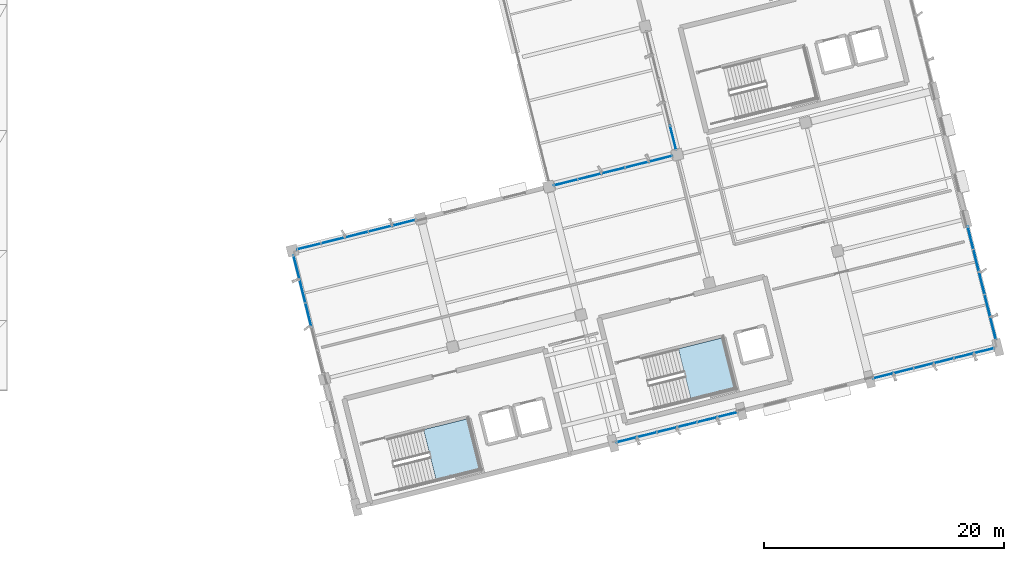
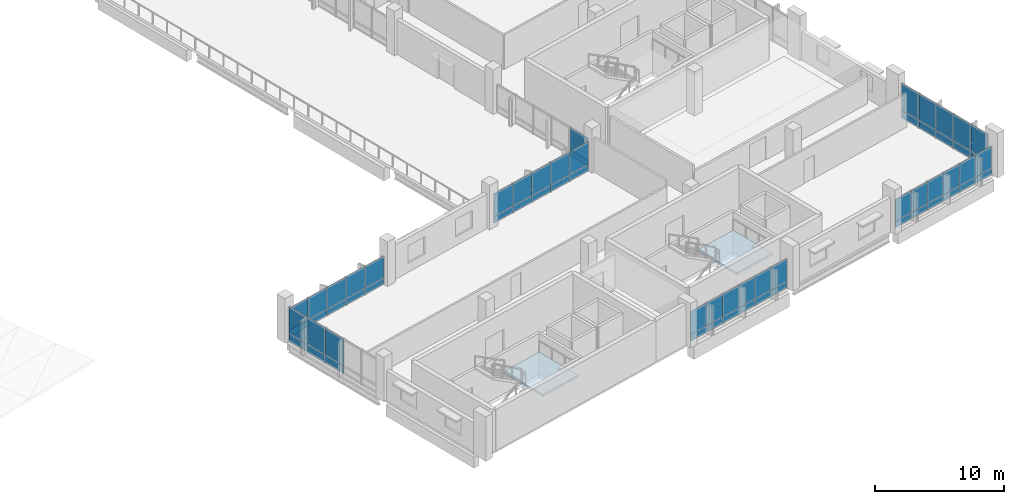
# One storey, part 33 of 42: 62 plates, 2 slabs, 9 elements without a shape of their own.
"""IFC4 building model written with IfcOpenShell, lengths in metres."""

from ifc_helpers import new_model, si_unit, direction, frame, origin, origin_2d, place, context, subcontext, project, spatial, polyline, rectangle, outline, extrude, material, layer, layer_set, type_object, element, aggregate, save


model = new_model("IFC4")

# Units and contexts
model_context = context("Model", 3, precision=1e-05, world=origin(), true_north=direction((0.0, 1.0)))
body_context = subcontext(model_context, "Body", "Model", "MODEL_VIEW")
ifc_project = project(units=[si_unit("LENGTHUNIT", "METRE"), si_unit("AREAUNIT", "SQUARE_METRE"), si_unit("VOLUMEUNIT", "CUBIC_METRE"), si_unit("PLANEANGLEUNIT", "RADIAN"), si_unit("MASSUNIT", "GRAM", prefix="KILO")], contexts=[model_context])

# Site, building, storey
site_placement = place(None, origin())
site = spatial("IfcSite", under=ifc_project, at=site_placement, CompositionType="ELEMENT")
building_placement = place(site_placement, origin())
building = spatial("IfcBuilding", under=site, at=building_placement, Name="Khorjan Park Terminus", CompositionType="ELEMENT")
storey_placement = place(building_placement, frame((0.0, 0.0, 20.4)))
storey = spatial("IfcBuildingStorey", under=building, at=storey_placement, Name="L04", CompositionType="ELEMENT", Elevation=20.4)

# Curtain wall, plates
ifc_material_1 = material(Name="Anodized Bronze Aluminium", Category="aluminium")
ifc_layer_1 = layer(ifc_material_1, 0.22)
ifc_layer_set_1 = layer_set([ifc_layer_1], Name="Anodized Bronze Aluminium")
curtain_wall_type = type_object("IfcCurtainWallType", Name="CW-OPS-B", PredefinedType="NOTDEFINED", material=ifc_layer_set_1)
curtain_wall_1_placement = place(storey_placement, origin())
curtain_wall_1 = element("IfcCurtainWall", 1, at=curtain_wall_1_placement, inside=storey, type_object=curtain_wall_type, Name="Unitized curtain wall CW-B (CW-V5-S-L04-B03)", PredefinedType="NOTDEFINED")
ifc_material_2 = material(Name="Low-E Solar Control Double Glazing", Category="glass")
ifc_layer_2 = layer(ifc_material_2, 0.032)
ifc_layer_set_2 = layer_set([ifc_layer_2], Name="Low-E Solar Control Double Glazing")
plate_type_1 = type_object("IfcPlateType", Name="GL-VIS-32", PredefinedType="CURTAIN_PANEL", material=ifc_layer_set_2)
plate_1_placement = place(storey_placement, frame((199.1762, 10.2718, 0.604), z_axis=(0.0, 0.0, 1.0), x_axis=(0.970294772494, 0.241925720978, 0.0)))
plate_1 = element("IfcPlate", 2, at=plate_1_placement, type_object=plate_type_1, Name="Curtain-wall panel VP-32 (CW-V5-S-L04-B03-0-2)", PredefinedType="CURTAIN_PANEL", context=body_context, shape_type="SweptSolid", body=[
    extrude(rectangle(XDim=1.7233, YDim=0.032, at=origin_2d()), origin(), (0.0, 0.0, 1.0), 2.151),
])
plate_2_placement = place(storey_placement, frame((200.8483, 10.6886, 0.604), z_axis=(0.0, 0.0, 1.0), x_axis=(0.970294772494, 0.241925720978, 0.0)))
plate_2 = element("IfcPlate", 3, at=plate_2_placement, type_object=plate_type_1, Name="Curtain-wall panel VP-32 (CW-V5-S-L04-B03-1-2)", PredefinedType="CURTAIN_PANEL", context=body_context, shape_type="SweptSolid", body=[
    extrude(rectangle(XDim=1.7233, YDim=0.032, at=origin_2d()), origin(), (0.0, 0.0, 1.0), 2.151),
])
plate_3_placement = place(storey_placement, frame((202.5205, 11.1056, 0.604), z_axis=(0.0, 0.0, 1.0), x_axis=(0.970294772494, 0.241925720978, 0.0)))
plate_3 = element("IfcPlate", 4, at=plate_3_placement, type_object=plate_type_1, Name="Curtain-wall panel VP-32 (CW-V5-S-L04-B03-2-2)", PredefinedType="CURTAIN_PANEL", context=body_context, shape_type="SweptSolid", body=[
    extrude(rectangle(XDim=1.7233, YDim=0.032, at=origin_2d()), origin(), (0.0, 0.0, 1.0), 2.151),
])
plate_4_placement = place(storey_placement, frame((204.1926, 11.5225, 0.604), z_axis=(0.0, 0.0, 1.0), x_axis=(0.970294772494, 0.241925720978, 0.0)))
plate_4 = element("IfcPlate", 5, at=plate_4_placement, type_object=plate_type_1, Name="Curtain-wall panel VP-32 (CW-V5-S-L04-B03-3-2)", PredefinedType="CURTAIN_PANEL", context=body_context, shape_type="SweptSolid", body=[
    extrude(rectangle(XDim=1.7233, YDim=0.032, at=origin_2d()), origin(), (0.0, 0.0, 1.0), 2.151),
])
plate_5_placement = place(storey_placement, frame((205.8647, 11.9395, 0.604), z_axis=(0.0, 0.0, 1.0), x_axis=(0.970294772494, 0.241925720978, 0.0)))
plate_5 = element("IfcPlate", 6, at=plate_5_placement, type_object=plate_type_1, Name="Curtain-wall panel VP-32 (CW-V5-S-L04-B03-4-2)", PredefinedType="CURTAIN_PANEL", context=body_context, shape_type="SweptSolid", body=[
    extrude(rectangle(XDim=1.7233, YDim=0.032, at=origin_2d()), origin(), (0.0, 0.0, 1.0), 2.151),
])
plate_6_placement = place(storey_placement, frame((207.5368, 12.3563, 0.604), z_axis=(0.0, 0.0, 1.0), x_axis=(0.970294772494, 0.241925720978, 0.0)))
plate_6 = element("IfcPlate", 7, at=plate_6_placement, type_object=plate_type_1, Name="Curtain-wall panel VP-32 (CW-V5-S-L04-B03-5-2)", PredefinedType="CURTAIN_PANEL", context=body_context, shape_type="SweptSolid", body=[
    extrude(rectangle(XDim=1.7233, YDim=0.032, at=origin_2d()), origin(), (0.0, 0.0, 1.0), 2.151),
])

# Curtain wall, plate
curtain_wall_2_placement = place(storey_placement, origin())
curtain_wall_2 = element("IfcCurtainWall", 8, at=curtain_wall_2_placement, inside=storey, type_object=curtain_wall_type, Name="Unitized curtain wall CW-B (CW-V5-NW1-L04-B03)", PredefinedType="NOTDEFINED")
plate_7_placement = place(storey_placement, frame((203.0214, 35.392, 0.583), z_axis=(0.0, 0.0, 1.0), x_axis=(0.241920636916, -0.9702960401, 0.0)))
plate_7 = element("IfcPlate", 9, at=plate_7_placement, type_object=plate_type_1, Name="Curtain-wall panel VP-32 (CW-V5-NW1-L04-B03-4-2)", PredefinedType="CURTAIN_PANEL", context=body_context, shape_type="SweptSolid", body=[
    extrude(rectangle(XDim=2.0279, YDim=0.032, at=origin_2d()), origin(), (0.0, 0.0, 1.0), 2.077),
])

# Curtain wall, plates
curtain_wall_3_placement = place(storey_placement, origin())
curtain_wall_3 = element("IfcCurtainWall", 10, at=curtain_wall_3_placement, inside=storey, type_object=curtain_wall_type, Name="Unitized curtain wall CW-B (CW-V5-NW2-L04-B03)", PredefinedType="NOTDEFINED")
plate_8_placement = place(storey_placement, frame((180.623, 28.3194, 0.583), z_axis=(0.0, 0.0, 1.0), x_axis=(-0.9702960401, -0.241920636916, 0.0)))
plate_8 = element("IfcPlate", 11, at=plate_8_placement, type_object=plate_type_1, Name="Curtain-wall panel VP-32 (CW-V5-NW2-L04-B03-0-2)", PredefinedType="CURTAIN_PANEL", context=body_context, shape_type="SweptSolid", body=[
    extrude(rectangle(XDim=2.0279, YDim=0.032, at=origin_2d()), origin(), (0.0, 0.0, 1.0), 2.077),
])
plate_9_placement = place(storey_placement, frame((178.6553, 27.8288, 0.583), z_axis=(0.0, 0.0, 1.0), x_axis=(-0.9702960401, -0.241920636916, 0.0)))
plate_9 = element("IfcPlate", 12, at=plate_9_placement, type_object=plate_type_1, Name="Curtain-wall panel VP-32 (CW-V5-NW2-L04-B03-1-2)", PredefinedType="CURTAIN_PANEL", context=body_context, shape_type="SweptSolid", body=[
    extrude(rectangle(XDim=2.0279, YDim=0.032, at=origin_2d()), origin(), (0.0, 0.0, 1.0), 2.077),
])
plate_10_placement = place(storey_placement, frame((176.6875, 27.3382, 0.583), z_axis=(0.0, 0.0, 1.0), x_axis=(-0.9702960401, -0.241920636916, 0.0)))
plate_10 = element("IfcPlate", 13, at=plate_10_placement, type_object=plate_type_1, Name="Curtain-wall panel VP-32 (CW-V5-NW2-L04-B03-2-2)", PredefinedType="CURTAIN_PANEL", context=body_context, shape_type="SweptSolid", body=[
    extrude(rectangle(XDim=2.0279, YDim=0.032, at=origin_2d()), origin(), (0.0, 0.0, 1.0), 2.077),
])
plate_11_placement = place(storey_placement, frame((174.7199, 26.8476, 0.583), z_axis=(0.0, 0.0, 1.0), x_axis=(-0.9702960401, -0.241920636916, 0.0)))
plate_11 = element("IfcPlate", 14, at=plate_11_placement, type_object=plate_type_1, Name="Curtain-wall panel VP-32 (CW-V5-NW2-L04-B03-3-2)", PredefinedType="CURTAIN_PANEL", context=body_context, shape_type="SweptSolid", body=[
    extrude(rectangle(XDim=2.0279, YDim=0.032, at=origin_2d()), origin(), (0.0, 0.0, 1.0), 2.077),
])
plate_12_placement = place(storey_placement, frame((172.7522, 26.357, 0.583), z_axis=(0.0, 0.0, 1.0), x_axis=(-0.9702960401, -0.241920636916, 0.0)))
plate_12 = element("IfcPlate", 15, at=plate_12_placement, type_object=plate_type_1, Name="Curtain-wall panel VP-32 (CW-V5-NW2-L04-B03-4-2)", PredefinedType="CURTAIN_PANEL", context=body_context, shape_type="SweptSolid", body=[
    extrude(rectangle(XDim=2.0279, YDim=0.032, at=origin_2d()), origin(), (0.0, 0.0, 1.0), 2.077),
])

curtain_wall_4_placement = place(storey_placement, origin())
curtain_wall_4 = element("IfcCurtainWall", 16, at=curtain_wall_4_placement, inside=storey, type_object=curtain_wall_type, Name="Unitized curtain wall CW-B (CW-V5-S-L04-B05)", PredefinedType="NOTDEFINED")
ifc_material_3 = material(Name="Acoustic Laminated Solar Glazing", Category="glass")
ifc_layer_3 = layer(ifc_material_3, 0.036)
ifc_layer_set_3 = layer_set([ifc_layer_3], Name="Acoustic Laminated Solar Glazing")
plate_type_2 = type_object("IfcPlateType", Name="GL-VIS-36", PredefinedType="CURTAIN_PANEL", material=ifc_layer_set_3)
plate_13_placement = place(storey_placement, frame((220.5224, 15.5939, 0.583), z_axis=(0.0, 0.0, 1.0), x_axis=(0.970296464407, 0.241918935098, 0.0)))
plate_13 = element("IfcPlate", 17, at=plate_13_placement, type_object=plate_type_2, Name="Curtain-wall panel VP-36 (CW-V5-S-L04-B05-0-2)", PredefinedType="CURTAIN_PANEL", context=body_context, shape_type="SweptSolid", body=[
    extrude(rectangle(XDim=1.7234, YDim=0.036, at=origin_2d()), origin(), (0.0, 0.0, 1.0), 2.077),
])
plate_14_placement = place(storey_placement, frame((222.1946, 16.0109, 0.583), z_axis=(0.0, 0.0, 1.0), x_axis=(0.970296464407, 0.241918935098, 0.0)))
plate_14 = element("IfcPlate", 18, at=plate_14_placement, type_object=plate_type_2, Name="Curtain-wall panel VP-36 (CW-V5-S-L04-B05-1-2)", PredefinedType="CURTAIN_PANEL", context=body_context, shape_type="SweptSolid", body=[
    extrude(rectangle(XDim=1.7234, YDim=0.036, at=origin_2d()), origin(), (0.0, 0.0, 1.0), 2.077),
])
plate_15_placement = place(storey_placement, frame((223.8669, 16.4278, 0.583), z_axis=(0.0, 0.0, 1.0), x_axis=(0.970296464407, 0.241918935098, 0.0)))
plate_15 = element("IfcPlate", 19, at=plate_15_placement, type_object=plate_type_2, Name="Curtain-wall panel VP-36 (CW-V5-S-L04-B05-2-2)", PredefinedType="CURTAIN_PANEL", context=body_context, shape_type="SweptSolid", body=[
    extrude(rectangle(XDim=1.7234, YDim=0.036, at=origin_2d()), origin(), (0.0, 0.0, 1.0), 2.077),
])
plate_16_placement = place(storey_placement, frame((225.5392, 16.8447, 0.583), z_axis=(0.0, 0.0, 1.0), x_axis=(0.970296464407, 0.241918935098, 0.0)))
plate_16 = element("IfcPlate", 20, at=plate_16_placement, type_object=plate_type_2, Name="Curtain-wall panel VP-36 (CW-V5-S-L04-B05-3-2)", PredefinedType="CURTAIN_PANEL", context=body_context, shape_type="SweptSolid", body=[
    extrude(rectangle(XDim=1.7234, YDim=0.036, at=origin_2d()), origin(), (0.0, 0.0, 1.0), 2.077),
])
plate_17_placement = place(storey_placement, frame((227.2115, 17.2617, 0.583), z_axis=(0.0, 0.0, 1.0), x_axis=(0.970296464407, 0.241918935098, 0.0)))
plate_17 = element("IfcPlate", 21, at=plate_17_placement, type_object=plate_type_2, Name="Curtain-wall panel VP-36 (CW-V5-S-L04-B05-4-2)", PredefinedType="CURTAIN_PANEL", context=body_context, shape_type="SweptSolid", body=[
    extrude(rectangle(XDim=1.7234, YDim=0.036, at=origin_2d()), origin(), (0.0, 0.0, 1.0), 2.077),
])
plate_18_placement = place(storey_placement, frame((228.8837, 17.6786, 0.583), z_axis=(0.0, 0.0, 1.0), x_axis=(0.970296464407, 0.241918935098, 0.0)))
plate_18 = element("IfcPlate", 22, at=plate_18_placement, type_object=plate_type_2, Name="Curtain-wall panel VP-36 (CW-V5-S-L04-B05-5-2)", PredefinedType="CURTAIN_PANEL", context=body_context, shape_type="SweptSolid", body=[
    extrude(rectangle(XDim=1.7234, YDim=0.036, at=origin_2d()), origin(), (0.0, 0.0, 1.0), 2.077),
])

curtain_wall_5_placement = place(storey_placement, origin())
curtain_wall_5 = element("IfcCurtainWall", 23, at=curtain_wall_5_placement, inside=storey, type_object=curtain_wall_type, Name="Unitized curtain wall CW-B (CW-V5-E-L04-B01)", PredefinedType="NOTDEFINED")
plate_19_placement = place(storey_placement, frame((229.6418, 19.562, 0.716), z_axis=(0.0, 0.0, 1.0), x_axis=(-0.241920488516, 0.9702960771, 0.0)))
plate_19 = element("IfcPlate", 24, at=plate_19_placement, type_object=plate_type_2, Name="Curtain-wall panel VP-36 (CW-V5-E-L04-B01-0-2)", PredefinedType="CURTAIN_PANEL", context=body_context, shape_type="SweptSolid", body=[
    extrude(rectangle(XDim=1.928, YDim=0.036, at=origin_2d()), origin(), (0.0, 0.0, 1.0), 2.549),
])
plate_20_placement = place(storey_placement, frame((229.1754, 21.4327, 0.716), z_axis=(0.0, 0.0, 1.0), x_axis=(-0.241920488516, 0.9702960771, 0.0)))
plate_20 = element("IfcPlate", 25, at=plate_20_placement, type_object=plate_type_2, Name="Curtain-wall panel VP-36 (CW-V5-E-L04-B01-1-2)", PredefinedType="CURTAIN_PANEL", context=body_context, shape_type="SweptSolid", body=[
    extrude(rectangle(XDim=1.928, YDim=0.036, at=origin_2d()), origin(), (0.0, 0.0, 1.0), 2.549),
])
plate_21_placement = place(storey_placement, frame((228.709, 23.3035, 0.716), z_axis=(0.0, 0.0, 1.0), x_axis=(-0.241920488516, 0.9702960771, 0.0)))
plate_21 = element("IfcPlate", 26, at=plate_21_placement, type_object=plate_type_2, Name="Curtain-wall panel VP-36 (CW-V5-E-L04-B01-2-2)", PredefinedType="CURTAIN_PANEL", context=body_context, shape_type="SweptSolid", body=[
    extrude(rectangle(XDim=1.928, YDim=0.036, at=origin_2d()), origin(), (0.0, 0.0, 1.0), 2.549),
])
plate_22_placement = place(storey_placement, frame((228.2425, 25.1743, 0.716), z_axis=(0.0, 0.0, 1.0), x_axis=(-0.241920488516, 0.9702960771, 0.0)))
plate_22 = element("IfcPlate", 27, at=plate_22_placement, type_object=plate_type_2, Name="Curtain-wall panel VP-36 (CW-V5-E-L04-B01-3-2)", PredefinedType="CURTAIN_PANEL", context=body_context, shape_type="SweptSolid", body=[
    extrude(rectangle(XDim=1.928, YDim=0.036, at=origin_2d()), origin(), (0.0, 0.0, 1.0), 2.549),
])
plate_23_placement = place(storey_placement, frame((227.7761, 27.045, 0.716), z_axis=(0.0, 0.0, 1.0), x_axis=(-0.241920488516, 0.9702960771, 0.0)))
plate_23 = element("IfcPlate", 28, at=plate_23_placement, type_object=plate_type_2, Name="Curtain-wall panel VP-36 (CW-V5-E-L04-B01-4-2)", PredefinedType="CURTAIN_PANEL", context=body_context, shape_type="SweptSolid", body=[
    extrude(rectangle(XDim=1.928, YDim=0.036, at=origin_2d()), origin(), (0.0, 0.0, 1.0), 2.549),
])

curtain_wall_6_placement = place(storey_placement, origin())
curtain_wall_6 = element("IfcCurtainWall", 29, at=curtain_wall_6_placement, inside=storey, type_object=curtain_wall_type, Name="Unitized curtain wall CW-B (CW-V5-NW2-L04-B01)", PredefinedType="NOTDEFINED")
plate_24_placement = place(storey_placement, frame((201.9698, 33.6418, 0.604), z_axis=(0.0, 0.0, 1.0), x_axis=(-0.970294289952, -0.241927656308, 0.0)))
plate_24 = element("IfcPlate", 30, at=plate_24_placement, type_object=plate_type_2, Name="Curtain-wall panel VP-36 (CW-V5-NW2-L04-B01-0-2)", PredefinedType="CURTAIN_PANEL", context=body_context, shape_type="SweptSolid", body=[
    extrude(rectangle(XDim=2.0281, YDim=0.036, at=origin_2d()), origin(), (0.0, 0.0, 1.0), 2.151),
])
plate_25_placement = place(storey_placement, frame((200.0018, 33.1511, 0.604), z_axis=(0.0, 0.0, 1.0), x_axis=(-0.970294289952, -0.241927656308, 0.0)))
plate_25 = element("IfcPlate", 31, at=plate_25_placement, type_object=plate_type_2, Name="Curtain-wall panel VP-36 (CW-V5-NW2-L04-B01-1-2)", PredefinedType="CURTAIN_PANEL", context=body_context, shape_type="SweptSolid", body=[
    extrude(rectangle(XDim=2.0281, YDim=0.036, at=origin_2d()), origin(), (0.0, 0.0, 1.0), 2.151),
])
plate_26_placement = place(storey_placement, frame((198.034, 32.6604, 0.604), z_axis=(0.0, 0.0, 1.0), x_axis=(-0.970294289952, -0.241927656308, 0.0)))
plate_26 = element("IfcPlate", 32, at=plate_26_placement, type_object=plate_type_2, Name="Curtain-wall panel VP-36 (CW-V5-NW2-L04-B01-2-2)", PredefinedType="CURTAIN_PANEL", context=body_context, shape_type="SweptSolid", body=[
    extrude(rectangle(XDim=2.0281, YDim=0.036, at=origin_2d()), origin(), (0.0, 0.0, 1.0), 2.151),
])
plate_27_placement = place(storey_placement, frame((196.0661, 32.1698, 0.604), z_axis=(0.0, 0.0, 1.0), x_axis=(-0.970294289952, -0.241927656308, 0.0)))
plate_27 = element("IfcPlate", 33, at=plate_27_placement, type_object=plate_type_2, Name="Curtain-wall panel VP-36 (CW-V5-NW2-L04-B01-3-2)", PredefinedType="CURTAIN_PANEL", context=body_context, shape_type="SweptSolid", body=[
    extrude(rectangle(XDim=2.0281, YDim=0.036, at=origin_2d()), origin(), (0.0, 0.0, 1.0), 2.151),
])
plate_28_placement = place(storey_placement, frame((194.0983, 31.6791, 0.604), z_axis=(0.0, 0.0, 1.0), x_axis=(-0.970294289952, -0.241927656308, 0.0)))
plate_28 = element("IfcPlate", 34, at=plate_28_placement, type_object=plate_type_2, Name="Curtain-wall panel VP-36 (CW-V5-NW2-L04-B01-4-2)", PredefinedType="CURTAIN_PANEL", context=body_context, shape_type="SweptSolid", body=[
    extrude(rectangle(XDim=2.0281, YDim=0.036, at=origin_2d()), origin(), (0.0, 0.0, 1.0), 2.151),
])

curtain_wall_7_placement = place(storey_placement, origin())
curtain_wall_7 = element("IfcCurtainWall", 35, at=curtain_wall_7_placement, inside=storey, type_object=curtain_wall_type, Name="Unitized curtain wall CW-B (CW-V5-W-L04-B01)", PredefinedType="NOTDEFINED")
plate_29_placement = place(storey_placement, frame((171.7003, 24.6067, 0.716), z_axis=(0.0, 0.0, 1.0), x_axis=(0.241927656308, -0.970294289952, 0.0)))
plate_29 = element("IfcPlate", 36, at=plate_29_placement, type_object=plate_type_2, Name="Curtain-wall panel VP-36 (CW-V5-W-L04-B01-0-2)", PredefinedType="CURTAIN_PANEL", context=body_context, shape_type="SweptSolid", body=[
    extrude(rectangle(XDim=2.0281, YDim=0.036, at=origin_2d()), origin(), (0.0, 0.0, 1.0), 2.549),
])
plate_30_placement = place(storey_placement, frame((172.1909, 22.6389, 0.716), z_axis=(0.0, 0.0, 1.0), x_axis=(0.241927656308, -0.970294289952, 0.0)))
plate_30 = element("IfcPlate", 37, at=plate_30_placement, type_object=plate_type_2, Name="Curtain-wall panel VP-36 (CW-V5-W-L04-B01-1-2)", PredefinedType="CURTAIN_PANEL", context=body_context, shape_type="SweptSolid", body=[
    extrude(rectangle(XDim=2.0281, YDim=0.036, at=origin_2d()), origin(), (0.0, 0.0, 1.0), 2.549),
])
plate_31_placement = place(storey_placement, frame((172.6816, 20.671, 0.716), z_axis=(0.0, 0.0, 1.0), x_axis=(0.241927656308, -0.970294289952, 0.0)))
plate_31 = element("IfcPlate", 38, at=plate_31_placement, type_object=plate_type_2, Name="Curtain-wall panel VP-36 (CW-V5-W-L04-B01-2-2)", PredefinedType="CURTAIN_PANEL", context=body_context, shape_type="SweptSolid", body=[
    extrude(rectangle(XDim=2.0281, YDim=0.036, at=origin_2d()), origin(), (0.0, 0.0, 1.0), 2.549),
])

# Stair, slab
ifc_material_4 = material(Name="Concrete C40/50", Category="concrete")
stair_type = type_object("IfcStairType", Name="STR-CORE-200", PredefinedType="HALF_TURN_STAIR", material=ifc_material_4)
stair_1_placement = place(storey_placement, origin())
stair_1 = element("IfcStair", 39, at=stair_1_placement, inside=storey, type_object=stair_type, Name="L04 Operations West Firefighting Core exit stair ST-03", PredefinedType="HALF_TURN_STAIR")
ifc_layer_4 = layer(ifc_material_4, 0.2)
ifc_layer_set_4 = layer_set([ifc_layer_4], Name="Concrete C40/50")
slab_type = type_object("IfcSlabType", Name="SL-LND-200", PredefinedType="LANDING", material=ifc_layer_set_4)
slab_1_placement = place(storey_placement, frame((0.0, 0.0, 1.9)))
slab_1 = element("IfcSlab", 40, at=slab_1_placement, type_object=slab_type, Name="ST-03 landing 1", PredefinedType="LANDING", context=body_context, shape_type="SweptSolid", body=[
    extrude(outline(polyline([(183.3128, 6.8834), (187.0194, 7.8075), (185.9646, 12.038), (182.2581, 11.1138), (183.3128, 6.8834)])), origin(), (0.0, 0.0, 1.0), 0.2),
])
aggregate(stair_1, [slab_1])

stair_2_placement = place(storey_placement, origin())
stair_2 = element("IfcStair", 41, at=stair_2_placement, inside=storey, type_object=stair_type, Name="L04 Operations Central Command Core exit stair ST-05", PredefinedType="HALF_TURN_STAIR")
slab_2_placement = place(storey_placement, frame((0.0, 0.0, 1.9)))
slab_2 = element("IfcSlab", 42, at=slab_2_placement, type_object=slab_type, Name="ST-05 landing 1", PredefinedType="LANDING", context=body_context, shape_type="SweptSolid", body=[
    extrude(outline(polyline([(204.5147, 13.6125), (208.2213, 14.5366), (207.1665, 18.7671), (203.46, 17.8429), (204.5147, 13.6125)])), origin(), (0.0, 0.0, 1.0), 0.2),
])
aggregate(stair_2, [slab_2])

# Plate
ifc_material_5 = material(Name="Insulated Bronze-Composite Spandrel Panel")
ifc_layer_5 = layer(ifc_material_5, 0.055)
ifc_layer_set_5 = layer_set([ifc_layer_5], Name="Insulated Bronze-Composite Spandrel Panel")
plate_type_3 = type_object("IfcPlateType", Name="SP-AL-55", PredefinedType="CURTAIN_PANEL", material=ifc_layer_set_5)
plate_32_placement = place(storey_placement, frame((199.1762, 10.2718, -0.01), z_axis=(0.0, 0.0, 1.0), x_axis=(0.970294772494, 0.241925720978, 0.0)))
plate_32 = element("IfcPlate", 43, at=plate_32_placement, type_object=plate_type_3, Name="Curtain-wall panel SP-A55 (CW-V5-S-L04-B03-0-1)", PredefinedType="CURTAIN_PANEL", context=body_context, shape_type="SweptSolid", body=[
    extrude(rectangle(XDim=1.7233, YDim=0.055, at=origin_2d()), origin(), (0.0, 0.0, 1.0), 0.614),
])

plate_33_placement = place(storey_placement, frame((200.8483, 10.6886, -0.01), z_axis=(0.0, 0.0, 1.0), x_axis=(0.970294772494, 0.241925720978, 0.0)))
plate_33 = element("IfcPlate", 44, at=plate_33_placement, type_object=plate_type_3, Name="Curtain-wall panel SP-A55 (CW-V5-S-L04-B03-1-1)", PredefinedType="CURTAIN_PANEL", context=body_context, shape_type="SweptSolid", body=[
    extrude(rectangle(XDim=1.7233, YDim=0.055, at=origin_2d()), origin(), (0.0, 0.0, 1.0), 0.614),
])

plate_34_placement = place(storey_placement, frame((202.5205, 11.1056, -0.01), z_axis=(0.0, 0.0, 1.0), x_axis=(0.970294772494, 0.241925720978, 0.0)))
plate_34 = element("IfcPlate", 45, at=plate_34_placement, type_object=plate_type_3, Name="Curtain-wall panel SP-A55 (CW-V5-S-L04-B03-2-1)", PredefinedType="CURTAIN_PANEL", context=body_context, shape_type="SweptSolid", body=[
    extrude(rectangle(XDim=1.7233, YDim=0.055, at=origin_2d()), origin(), (0.0, 0.0, 1.0), 0.614),
])

plate_35_placement = place(storey_placement, frame((204.1926, 11.5225, -0.01), z_axis=(0.0, 0.0, 1.0), x_axis=(0.970294772494, 0.241925720978, 0.0)))
plate_35 = element("IfcPlate", 46, at=plate_35_placement, type_object=plate_type_3, Name="Curtain-wall panel SP-A55 (CW-V5-S-L04-B03-3-1)", PredefinedType="CURTAIN_PANEL", context=body_context, shape_type="SweptSolid", body=[
    extrude(rectangle(XDim=1.7233, YDim=0.055, at=origin_2d()), origin(), (0.0, 0.0, 1.0), 0.614),
])

plate_36_placement = place(storey_placement, frame((205.8647, 11.9395, -0.01), z_axis=(0.0, 0.0, 1.0), x_axis=(0.970294772494, 0.241925720978, 0.0)))
plate_36 = element("IfcPlate", 47, at=plate_36_placement, type_object=plate_type_3, Name="Curtain-wall panel SP-A55 (CW-V5-S-L04-B03-4-1)", PredefinedType="CURTAIN_PANEL", context=body_context, shape_type="SweptSolid", body=[
    extrude(rectangle(XDim=1.7233, YDim=0.055, at=origin_2d()), origin(), (0.0, 0.0, 1.0), 0.614),
])

plate_37_placement = place(storey_placement, frame((207.5368, 12.3563, -0.01), z_axis=(0.0, 0.0, 1.0), x_axis=(0.970294772494, 0.241925720978, 0.0)))
plate_37 = element("IfcPlate", 48, at=plate_37_placement, type_object=plate_type_3, Name="Curtain-wall panel SP-A55 (CW-V5-S-L04-B03-5-1)", PredefinedType="CURTAIN_PANEL", context=body_context, shape_type="SweptSolid", body=[
    extrude(rectangle(XDim=1.7233, YDim=0.055, at=origin_2d()), origin(), (0.0, 0.0, 1.0), 0.614),
])

aggregate(curtain_wall_1, [plate_32, plate_1, plate_33, plate_2, plate_34, plate_3, plate_35, plate_4, plate_36, plate_5, plate_37, plate_6])

plate_38_placement = place(storey_placement, frame((220.5224, 15.5939, -0.01), z_axis=(0.0, 0.0, 1.0), x_axis=(0.970296464407, 0.241918935098, 0.0)))
plate_38 = element("IfcPlate", 49, at=plate_38_placement, type_object=plate_type_3, Name="Curtain-wall panel SP-A55 (CW-V5-S-L04-B05-0-1)", PredefinedType="CURTAIN_PANEL", context=body_context, shape_type="SweptSolid", body=[
    extrude(rectangle(XDim=1.7234, YDim=0.055, at=origin_2d()), origin(), (0.0, 0.0, 1.0), 0.593),
])

plate_39_placement = place(storey_placement, frame((222.1946, 16.0109, -0.01), z_axis=(0.0, 0.0, 1.0), x_axis=(0.970296464407, 0.241918935098, 0.0)))
plate_39 = element("IfcPlate", 50, at=plate_39_placement, type_object=plate_type_3, Name="Curtain-wall panel SP-A55 (CW-V5-S-L04-B05-1-1)", PredefinedType="CURTAIN_PANEL", context=body_context, shape_type="SweptSolid", body=[
    extrude(rectangle(XDim=1.7234, YDim=0.055, at=origin_2d()), origin(), (0.0, 0.0, 1.0), 0.593),
])

plate_40_placement = place(storey_placement, frame((223.8669, 16.4278, -0.01), z_axis=(0.0, 0.0, 1.0), x_axis=(0.970296464407, 0.241918935098, 0.0)))
plate_40 = element("IfcPlate", 51, at=plate_40_placement, type_object=plate_type_3, Name="Curtain-wall panel SP-A55 (CW-V5-S-L04-B05-2-1)", PredefinedType="CURTAIN_PANEL", context=body_context, shape_type="SweptSolid", body=[
    extrude(rectangle(XDim=1.7234, YDim=0.055, at=origin_2d()), origin(), (0.0, 0.0, 1.0), 0.593),
])

plate_41_placement = place(storey_placement, frame((225.5392, 16.8447, -0.01), z_axis=(0.0, 0.0, 1.0), x_axis=(0.970296464407, 0.241918935098, 0.0)))
plate_41 = element("IfcPlate", 52, at=plate_41_placement, type_object=plate_type_3, Name="Curtain-wall panel SP-A55 (CW-V5-S-L04-B05-3-1)", PredefinedType="CURTAIN_PANEL", context=body_context, shape_type="SweptSolid", body=[
    extrude(rectangle(XDim=1.7234, YDim=0.055, at=origin_2d()), origin(), (0.0, 0.0, 1.0), 0.593),
])

plate_42_placement = place(storey_placement, frame((227.2115, 17.2617, -0.01), z_axis=(0.0, 0.0, 1.0), x_axis=(0.970296464407, 0.241918935098, 0.0)))
plate_42 = element("IfcPlate", 53, at=plate_42_placement, type_object=plate_type_3, Name="Curtain-wall panel SP-A55 (CW-V5-S-L04-B05-4-1)", PredefinedType="CURTAIN_PANEL", context=body_context, shape_type="SweptSolid", body=[
    extrude(rectangle(XDim=1.7234, YDim=0.055, at=origin_2d()), origin(), (0.0, 0.0, 1.0), 0.593),
])

plate_43_placement = place(storey_placement, frame((228.8837, 17.6786, -0.01), z_axis=(0.0, 0.0, 1.0), x_axis=(0.970296464407, 0.241918935098, 0.0)))
plate_43 = element("IfcPlate", 54, at=plate_43_placement, type_object=plate_type_3, Name="Curtain-wall panel SP-A55 (CW-V5-S-L04-B05-5-1)", PredefinedType="CURTAIN_PANEL", context=body_context, shape_type="SweptSolid", body=[
    extrude(rectangle(XDim=1.7234, YDim=0.055, at=origin_2d()), origin(), (0.0, 0.0, 1.0), 0.593),
])

aggregate(curtain_wall_4, [plate_38, plate_13, plate_39, plate_14, plate_40, plate_15, plate_41, plate_16, plate_42, plate_17, plate_43, plate_18])

plate_44_placement = place(storey_placement, frame((229.6418, 19.562, -0.01), z_axis=(0.0, 0.0, 1.0), x_axis=(-0.241920488516, 0.9702960771, 0.0)))
plate_44 = element("IfcPlate", 55, at=plate_44_placement, type_object=plate_type_3, Name="Curtain-wall panel SP-A55 (CW-V5-E-L04-B01-0-1)", PredefinedType="CURTAIN_PANEL", context=body_context, shape_type="SweptSolid", body=[
    extrude(rectangle(XDim=1.928, YDim=0.055, at=origin_2d()), origin(), (0.0, 0.0, 1.0), 0.726),
])

plate_45_placement = place(storey_placement, frame((229.1754, 21.4327, -0.01), z_axis=(0.0, 0.0, 1.0), x_axis=(-0.241920488516, 0.9702960771, 0.0)))
plate_45 = element("IfcPlate", 56, at=plate_45_placement, type_object=plate_type_3, Name="Curtain-wall panel SP-A55 (CW-V5-E-L04-B01-1-1)", PredefinedType="CURTAIN_PANEL", context=body_context, shape_type="SweptSolid", body=[
    extrude(rectangle(XDim=1.928, YDim=0.055, at=origin_2d()), origin(), (0.0, 0.0, 1.0), 0.726),
])

plate_46_placement = place(storey_placement, frame((228.709, 23.3035, -0.01), z_axis=(0.0, 0.0, 1.0), x_axis=(-0.241920488516, 0.9702960771, 0.0)))
plate_46 = element("IfcPlate", 57, at=plate_46_placement, type_object=plate_type_3, Name="Curtain-wall panel SP-A55 (CW-V5-E-L04-B01-2-1)", PredefinedType="CURTAIN_PANEL", context=body_context, shape_type="SweptSolid", body=[
    extrude(rectangle(XDim=1.928, YDim=0.055, at=origin_2d()), origin(), (0.0, 0.0, 1.0), 0.726),
])

plate_47_placement = place(storey_placement, frame((228.2425, 25.1743, -0.01), z_axis=(0.0, 0.0, 1.0), x_axis=(-0.241920488516, 0.9702960771, 0.0)))
plate_47 = element("IfcPlate", 58, at=plate_47_placement, type_object=plate_type_3, Name="Curtain-wall panel SP-A55 (CW-V5-E-L04-B01-3-1)", PredefinedType="CURTAIN_PANEL", context=body_context, shape_type="SweptSolid", body=[
    extrude(rectangle(XDim=1.928, YDim=0.055, at=origin_2d()), origin(), (0.0, 0.0, 1.0), 0.726),
])

plate_48_placement = place(storey_placement, frame((227.7761, 27.045, -0.01), z_axis=(0.0, 0.0, 1.0), x_axis=(-0.241920488516, 0.9702960771, 0.0)))
plate_48 = element("IfcPlate", 59, at=plate_48_placement, type_object=plate_type_3, Name="Curtain-wall panel SP-A55 (CW-V5-E-L04-B01-4-1)", PredefinedType="CURTAIN_PANEL", context=body_context, shape_type="SweptSolid", body=[
    extrude(rectangle(XDim=1.928, YDim=0.055, at=origin_2d()), origin(), (0.0, 0.0, 1.0), 0.726),
])

aggregate(curtain_wall_5, [plate_44, plate_19, plate_45, plate_20, plate_46, plate_21, plate_47, plate_22, plate_48, plate_23])

plate_49_placement = place(storey_placement, frame((203.0214, 35.392, -0.01), z_axis=(0.0, 0.0, 1.0), x_axis=(0.241920636916, -0.9702960401, 0.0)))
plate_49 = element("IfcPlate", 60, at=plate_49_placement, type_object=plate_type_3, Name="Curtain-wall panel SP-A55 (CW-V5-NW1-L04-B03-4-1)", PredefinedType="CURTAIN_PANEL", context=body_context, shape_type="SweptSolid", body=[
    extrude(rectangle(XDim=2.0279, YDim=0.055, at=origin_2d()), origin(), (0.0, 0.0, 1.0), 0.593),
])

aggregate(curtain_wall_2, [plate_49, plate_7])

plate_50_placement = place(storey_placement, frame((201.9698, 33.6418, -0.01), z_axis=(0.0, 0.0, 1.0), x_axis=(-0.970294289952, -0.241927656308, 0.0)))
plate_50 = element("IfcPlate", 61, at=plate_50_placement, type_object=plate_type_3, Name="Curtain-wall panel SP-A55 (CW-V5-NW2-L04-B01-0-1)", PredefinedType="CURTAIN_PANEL", context=body_context, shape_type="SweptSolid", body=[
    extrude(rectangle(XDim=2.0281, YDim=0.055, at=origin_2d()), origin(), (0.0, 0.0, 1.0), 0.614),
])

plate_51_placement = place(storey_placement, frame((200.0018, 33.1511, -0.01), z_axis=(0.0, 0.0, 1.0), x_axis=(-0.970294289952, -0.241927656308, 0.0)))
plate_51 = element("IfcPlate", 62, at=plate_51_placement, type_object=plate_type_3, Name="Curtain-wall panel SP-A55 (CW-V5-NW2-L04-B01-1-1)", PredefinedType="CURTAIN_PANEL", context=body_context, shape_type="SweptSolid", body=[
    extrude(rectangle(XDim=2.0281, YDim=0.055, at=origin_2d()), origin(), (0.0, 0.0, 1.0), 0.614),
])

plate_52_placement = place(storey_placement, frame((198.034, 32.6604, -0.01), z_axis=(0.0, 0.0, 1.0), x_axis=(-0.970294289952, -0.241927656308, 0.0)))
plate_52 = element("IfcPlate", 63, at=plate_52_placement, type_object=plate_type_3, Name="Curtain-wall panel SP-A55 (CW-V5-NW2-L04-B01-2-1)", PredefinedType="CURTAIN_PANEL", context=body_context, shape_type="SweptSolid", body=[
    extrude(rectangle(XDim=2.0281, YDim=0.055, at=origin_2d()), origin(), (0.0, 0.0, 1.0), 0.614),
])

plate_53_placement = place(storey_placement, frame((196.0661, 32.1698, -0.01), z_axis=(0.0, 0.0, 1.0), x_axis=(-0.970294289952, -0.241927656308, 0.0)))
plate_53 = element("IfcPlate", 64, at=plate_53_placement, type_object=plate_type_3, Name="Curtain-wall panel SP-A55 (CW-V5-NW2-L04-B01-3-1)", PredefinedType="CURTAIN_PANEL", context=body_context, shape_type="SweptSolid", body=[
    extrude(rectangle(XDim=2.0281, YDim=0.055, at=origin_2d()), origin(), (0.0, 0.0, 1.0), 0.614),
])

plate_54_placement = place(storey_placement, frame((194.0983, 31.6791, -0.01), z_axis=(0.0, 0.0, 1.0), x_axis=(-0.970294289952, -0.241927656308, 0.0)))
plate_54 = element("IfcPlate", 65, at=plate_54_placement, type_object=plate_type_3, Name="Curtain-wall panel SP-A55 (CW-V5-NW2-L04-B01-4-1)", PredefinedType="CURTAIN_PANEL", context=body_context, shape_type="SweptSolid", body=[
    extrude(rectangle(XDim=2.0281, YDim=0.055, at=origin_2d()), origin(), (0.0, 0.0, 1.0), 0.614),
])

aggregate(curtain_wall_6, [plate_50, plate_24, plate_51, plate_25, plate_52, plate_26, plate_53, plate_27, plate_54, plate_28])

plate_55_placement = place(storey_placement, frame((180.623, 28.3194, -0.01), z_axis=(0.0, 0.0, 1.0), x_axis=(-0.9702960401, -0.241920636916, 0.0)))
plate_55 = element("IfcPlate", 66, at=plate_55_placement, type_object=plate_type_3, Name="Curtain-wall panel SP-A55 (CW-V5-NW2-L04-B03-0-1)", PredefinedType="CURTAIN_PANEL", context=body_context, shape_type="SweptSolid", body=[
    extrude(rectangle(XDim=2.0279, YDim=0.055, at=origin_2d()), origin(), (0.0, 0.0, 1.0), 0.593),
])

plate_56_placement = place(storey_placement, frame((178.6553, 27.8288, -0.01), z_axis=(0.0, 0.0, 1.0), x_axis=(-0.9702960401, -0.241920636916, 0.0)))
plate_56 = element("IfcPlate", 67, at=plate_56_placement, type_object=plate_type_3, Name="Curtain-wall panel SP-A55 (CW-V5-NW2-L04-B03-1-1)", PredefinedType="CURTAIN_PANEL", context=body_context, shape_type="SweptSolid", body=[
    extrude(rectangle(XDim=2.0279, YDim=0.055, at=origin_2d()), origin(), (0.0, 0.0, 1.0), 0.593),
])

plate_57_placement = place(storey_placement, frame((176.6875, 27.3382, -0.01), z_axis=(0.0, 0.0, 1.0), x_axis=(-0.9702960401, -0.241920636916, 0.0)))
plate_57 = element("IfcPlate", 68, at=plate_57_placement, type_object=plate_type_3, Name="Curtain-wall panel SP-A55 (CW-V5-NW2-L04-B03-2-1)", PredefinedType="CURTAIN_PANEL", context=body_context, shape_type="SweptSolid", body=[
    extrude(rectangle(XDim=2.0279, YDim=0.055, at=origin_2d()), origin(), (0.0, 0.0, 1.0), 0.593),
])

plate_58_placement = place(storey_placement, frame((174.7199, 26.8476, -0.01), z_axis=(0.0, 0.0, 1.0), x_axis=(-0.9702960401, -0.241920636916, 0.0)))
plate_58 = element("IfcPlate", 69, at=plate_58_placement, type_object=plate_type_3, Name="Curtain-wall panel SP-A55 (CW-V5-NW2-L04-B03-3-1)", PredefinedType="CURTAIN_PANEL", context=body_context, shape_type="SweptSolid", body=[
    extrude(rectangle(XDim=2.0279, YDim=0.055, at=origin_2d()), origin(), (0.0, 0.0, 1.0), 0.593),
])

plate_59_placement = place(storey_placement, frame((172.7522, 26.357, -0.01), z_axis=(0.0, 0.0, 1.0), x_axis=(-0.9702960401, -0.241920636916, 0.0)))
plate_59 = element("IfcPlate", 70, at=plate_59_placement, type_object=plate_type_3, Name="Curtain-wall panel SP-A55 (CW-V5-NW2-L04-B03-4-1)", PredefinedType="CURTAIN_PANEL", context=body_context, shape_type="SweptSolid", body=[
    extrude(rectangle(XDim=2.0279, YDim=0.055, at=origin_2d()), origin(), (0.0, 0.0, 1.0), 0.593),
])

aggregate(curtain_wall_3, [plate_55, plate_8, plate_56, plate_9, plate_57, plate_10, plate_58, plate_11, plate_59, plate_12])

plate_60_placement = place(storey_placement, frame((171.7003, 24.6067, -0.01), z_axis=(0.0, 0.0, 1.0), x_axis=(0.241927656308, -0.970294289952, 0.0)))
plate_60 = element("IfcPlate", 71, at=plate_60_placement, type_object=plate_type_3, Name="Curtain-wall panel SP-A55 (CW-V5-W-L04-B01-0-1)", PredefinedType="CURTAIN_PANEL", context=body_context, shape_type="SweptSolid", body=[
    extrude(rectangle(XDim=2.0281, YDim=0.055, at=origin_2d()), origin(), (0.0, 0.0, 1.0), 0.726),
])

plate_61_placement = place(storey_placement, frame((172.1909, 22.6389, -0.01), z_axis=(0.0, 0.0, 1.0), x_axis=(0.241927656308, -0.970294289952, 0.0)))
plate_61 = element("IfcPlate", 72, at=plate_61_placement, type_object=plate_type_3, Name="Curtain-wall panel SP-A55 (CW-V5-W-L04-B01-1-1)", PredefinedType="CURTAIN_PANEL", context=body_context, shape_type="SweptSolid", body=[
    extrude(rectangle(XDim=2.0281, YDim=0.055, at=origin_2d()), origin(), (0.0, 0.0, 1.0), 0.726),
])

plate_62_placement = place(storey_placement, frame((172.6816, 20.671, -0.01), z_axis=(0.0, 0.0, 1.0), x_axis=(0.241927656308, -0.970294289952, 0.0)))
plate_62 = element("IfcPlate", 73, at=plate_62_placement, type_object=plate_type_3, Name="Curtain-wall panel SP-A55 (CW-V5-W-L04-B01-2-1)", PredefinedType="CURTAIN_PANEL", context=body_context, shape_type="SweptSolid", body=[
    extrude(rectangle(XDim=2.0281, YDim=0.055, at=origin_2d()), origin(), (0.0, 0.0, 1.0), 0.726),
])

aggregate(curtain_wall_7, [plate_60, plate_29, plate_61, plate_30, plate_62, plate_31])

save(model, "model.ifc")
